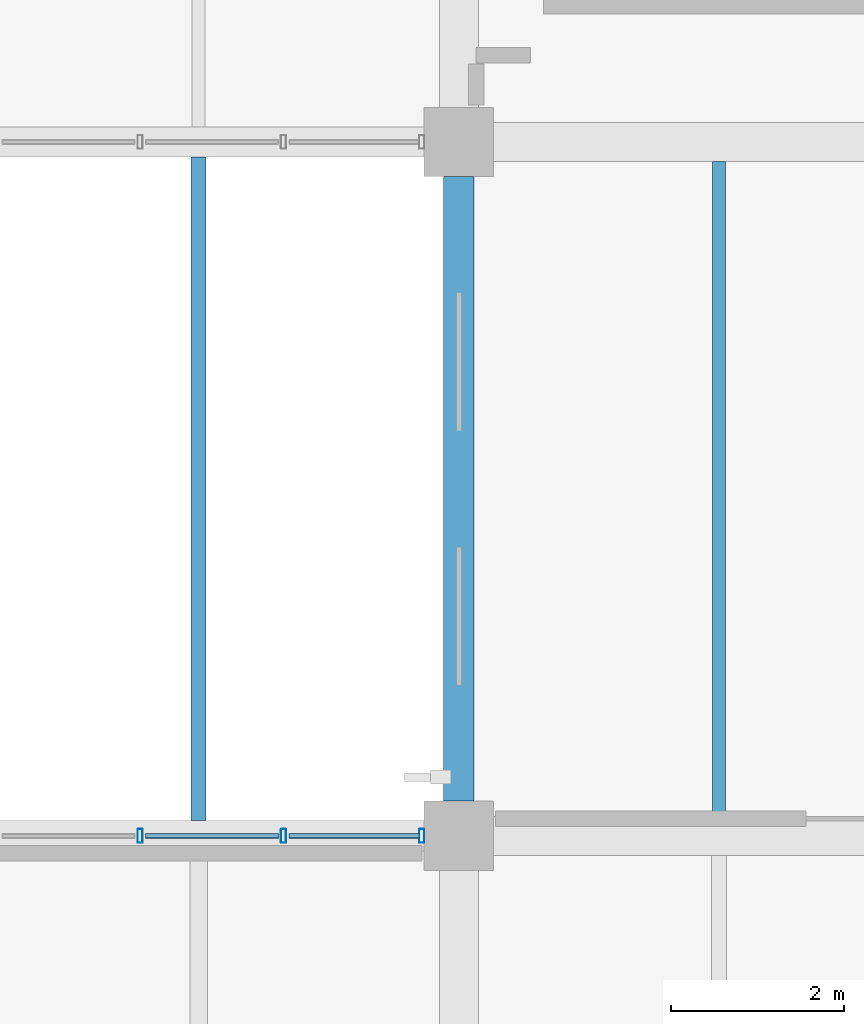
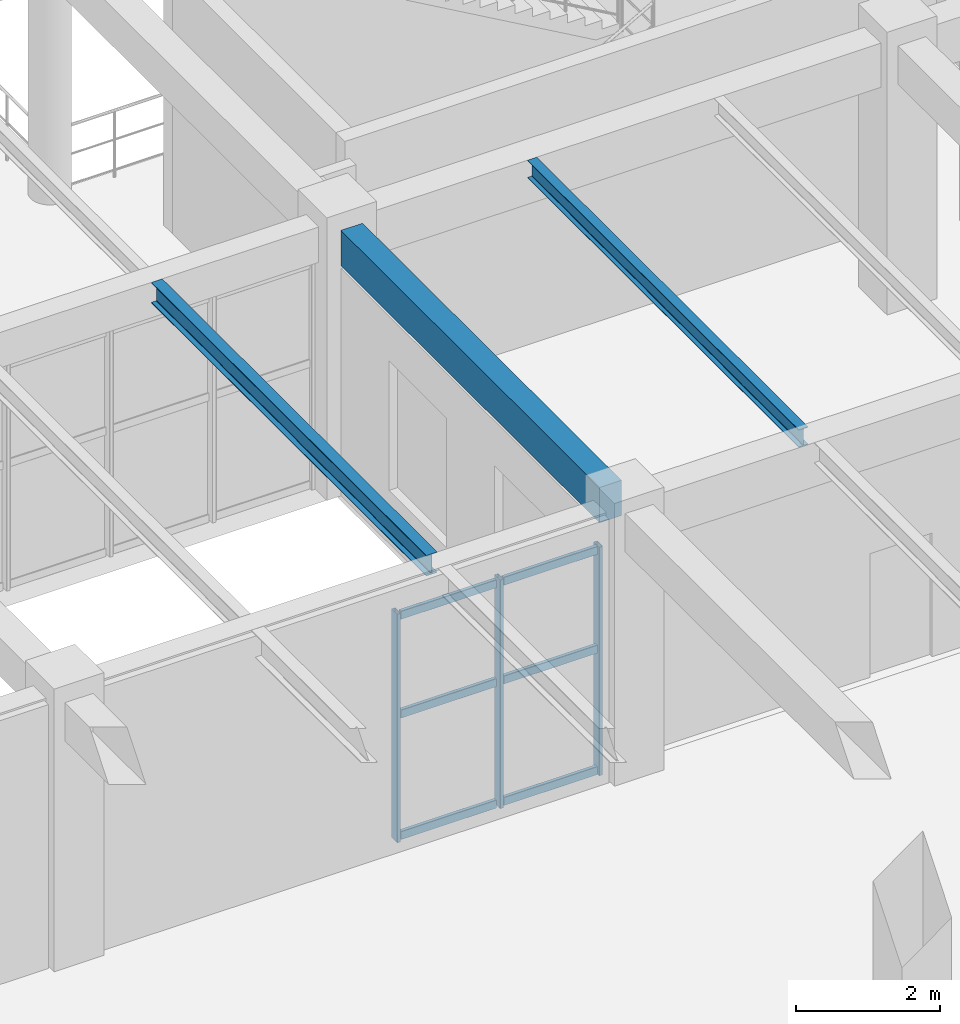
# One storey, part 29 of 178: 9 members, 3 beams, 1 element without a shape of its own.
"""IFC4 building model written with IfcOpenShell, lengths in metres."""

from ifc_helpers import new_model, si_unit, derived_unit, direction, frame, origin, origin_2d, place, context, subcontext, project, spatial, rectangle, hollow_rectangle, i_section, extrude, material, material_profile, profile_set, type_object, element, aggregate, save


model = new_model("IFC4")

# Units and contexts
model_context = context("Model", 3, precision=1e-05, world=origin(), true_north=direction((0.0, 1.0)))
body_context = subcontext(model_context, "Body", "Model", "MODEL_VIEW")
ifc_project = project(units=[si_unit("LENGTHUNIT", "METRE"), si_unit("AREAUNIT", "SQUARE_METRE"), si_unit("VOLUMEUNIT", "CUBIC_METRE"), si_unit("PLANEANGLEUNIT", "RADIAN"), si_unit("MASSUNIT", "GRAM", prefix="KILO"), derived_unit("THERMALTRANSMITTANCEUNIT", [(si_unit("MASSUNIT", "GRAM", prefix="KILO"), 1), (si_unit("TIMEUNIT", "SECOND"), -3), (si_unit("THERMODYNAMICTEMPERATUREUNIT", "KELVIN"), -1)])], contexts=[model_context])

# Site, building, storey
site_placement = place(None, origin())
site = spatial("IfcSite", under=ifc_project, at=site_placement, CompositionType="ELEMENT")
building_placement = place(site_placement, origin())
building = spatial("IfcBuilding", under=site, at=building_placement, Name="Zhenchuan Archway Interchange", CompositionType="ELEMENT")
storey_placement = place(building_placement, frame((0.0, 0.0, 5.39990234375)))
storey = spatial("IfcBuildingStorey", under=building, at=storey_placement, Name="L01", CompositionType="ELEMENT", Elevation=5.39990234375)

# Curtain wall, members
ifc_material_1 = material(Name="Anodised Aluminium", Category="aluminium")
curtain_wall_type = type_object("IfcCurtainWallType", Name="CW_UNIT_1", PredefinedType="NOTDEFINED", material=ifc_material_1)
curtain_wall_placement = place(storey_placement, origin())
curtain_wall = element("IfcCurtainWall", 1, at=curtain_wall_placement, inside=storey, type_object=curtain_wall_type, Name="Unitised curtain wall CW:L01:092", PredefinedType="NOTDEFINED")
ifc_material_profile_1 = material_profile(ifc_material_1, hollow_rectangle(XDim=0.06005859375, YDim=0.159912109375, WallThickness=0.00390625, InnerFilletRadius=0.00390625, OuterFilletRadius=0.008056640625, at=origin_2d()), Name="ALU 160x60x4")
ifc_profile_set_1 = profile_set([ifc_material_profile_1], Name="Anodised Aluminium")
member_type_1 = type_object("IfcMemberType", Name="CW_MUL_150", PredefinedType="MULLION", material=ifc_profile_set_1)
member_1_placement = place(storey_placement, frame((32.326416015625, 16.0, 0.0), z_axis=(0.0, 0.0, 1.0), x_axis=(1.0, 0.0, 0.0)))
member_1 = element("IfcMember", 2, at=member_1_placement, type_object=member_type_1, Name="CW:L01:092 mullion 3", PredefinedType="MULLION", context=body_context, shape_type="SweptSolid", body=[
    extrude(hollow_rectangle(XDim=0.06005859375, YDim=0.159912109375, WallThickness=0.00390625, InnerFilletRadius=0.00390625, OuterFilletRadius=0.008056640625, at=origin_2d()), origin(), (0.0, 0.0, 1.0), 3.880126953125),
])
member_2_placement = place(storey_placement, frame((33.979248046875, 16.0, 0.0), z_axis=(0.0, 0.0, 1.0), x_axis=(1.0, 0.0, 0.0)))
member_2 = element("IfcMember", 3, at=member_2_placement, type_object=member_type_1, Name="CW:L01:092 mullion 4", PredefinedType="MULLION", context=body_context, shape_type="SweptSolid", body=[
    extrude(hollow_rectangle(XDim=0.06005859375, YDim=0.159912109375, WallThickness=0.00390625, InnerFilletRadius=0.00390625, OuterFilletRadius=0.008056640625, at=origin_2d()), origin(), (0.0, 0.0, 1.0), 3.880126953125),
])
member_3_placement = place(storey_placement, frame((35.572021484375, 16.0, 0.0), z_axis=(0.0, 0.0, 1.0), x_axis=(1.0, 0.0, 0.0)))
member_3 = element("IfcMember", 4, at=member_3_placement, type_object=member_type_1, Name="CW:L01:092 mullion 5", PredefinedType="MULLION", context=body_context, shape_type="SweptSolid", body=[
    extrude(hollow_rectangle(XDim=0.06005859375, YDim=0.159912109375, WallThickness=0.00390625, InnerFilletRadius=0.00390625, OuterFilletRadius=0.008056640625, at=origin_2d()), origin(), (0.0, 0.0, 1.0), 3.880126953125),
])
ifc_material_profile_2 = material_profile(ifc_material_1, hollow_rectangle(XDim=0.06005859375, YDim=0.139892578125, WallThickness=0.00341796875, InnerFilletRadius=0.00341796875, OuterFilletRadius=0.007080078125, at=origin_2d()), Name="ALU 140x60x3.5")
ifc_profile_set_2 = profile_set([ifc_material_profile_2], Name="Anodised Aluminium")
member_type_2 = type_object("IfcMemberType", Name="CW_TRN_140", PredefinedType="USERDEFINED", material=ifc_profile_set_2)
member_4_placement = place(storey_placement, frame((32.386474609375, 16.0, 0.06005859375), z_axis=(1.0, 0.0, 0.0), x_axis=(0.0, 1.0, 0.0)))
member_4 = element("IfcMember", 5, at=member_4_placement, type_object=member_type_2, Name="CW:L01:092 transom 3-1", ObjectType="TRANSOM", PredefinedType="USERDEFINED", context=body_context, shape_type="SweptSolid", body=[
    extrude(hollow_rectangle(XDim=0.06005859375, YDim=0.139892578125, WallThickness=0.00341796875, InnerFilletRadius=0.00341796875, OuterFilletRadius=0.007080078125, at=origin_2d()), origin(), (0.0, 0.0, 1.0), 1.53271484375),
])
member_5_placement = place(storey_placement, frame((32.386474609375, 16.0, 2.123046875), z_axis=(1.0, 0.0, 0.0), x_axis=(0.0, 1.0, 0.0)))
member_5 = element("IfcMember", 6, at=member_5_placement, type_object=member_type_2, Name="CW:L01:092 transom 3-2", ObjectType="TRANSOM", PredefinedType="USERDEFINED", context=body_context, shape_type="SweptSolid", body=[
    extrude(hollow_rectangle(XDim=0.06005859375, YDim=0.139892578125, WallThickness=0.00341796875, InnerFilletRadius=0.00341796875, OuterFilletRadius=0.007080078125, at=origin_2d()), origin(), (0.0, 0.0, 1.0), 1.53271484375),
])
member_6_placement = place(storey_placement, frame((32.386474609375, 16.0, 3.800048828125), z_axis=(1.0, 0.0, 0.0), x_axis=(0.0, 1.0, 0.0)))
member_6 = element("IfcMember", 7, at=member_6_placement, type_object=member_type_2, Name="CW:L01:092 transom 3-3", ObjectType="TRANSOM", PredefinedType="USERDEFINED", context=body_context, shape_type="SweptSolid", body=[
    extrude(hollow_rectangle(XDim=0.06005859375, YDim=0.139892578125, WallThickness=0.00341796875, InnerFilletRadius=0.00341796875, OuterFilletRadius=0.007080078125, at=origin_2d()), origin(), (0.0, 0.0, 1.0), 1.53271484375),
])
member_7_placement = place(storey_placement, frame((34.039306640625, 16.0, 0.06005859375), z_axis=(1.0, 0.0, 0.0), x_axis=(0.0, 1.0, 0.0)))
member_7 = element("IfcMember", 8, at=member_7_placement, type_object=member_type_2, Name="CW:L01:092 transom 4-1", ObjectType="TRANSOM", PredefinedType="USERDEFINED", context=body_context, shape_type="SweptSolid", body=[
    extrude(hollow_rectangle(XDim=0.06005859375, YDim=0.139892578125, WallThickness=0.00341796875, InnerFilletRadius=0.00341796875, OuterFilletRadius=0.007080078125, at=origin_2d()), origin(), (0.0, 0.0, 1.0), 1.5126953125),
])
member_8_placement = place(storey_placement, frame((34.039306640625, 16.0, 2.123046875), z_axis=(1.0, 0.0, 0.0), x_axis=(0.0, 1.0, 0.0)))
member_8 = element("IfcMember", 9, at=member_8_placement, type_object=member_type_2, Name="CW:L01:092 transom 4-2", ObjectType="TRANSOM", PredefinedType="USERDEFINED", context=body_context, shape_type="SweptSolid", body=[
    extrude(hollow_rectangle(XDim=0.06005859375, YDim=0.139892578125, WallThickness=0.00341796875, InnerFilletRadius=0.00341796875, OuterFilletRadius=0.007080078125, at=origin_2d()), origin(), (0.0, 0.0, 1.0), 1.5126953125),
])
member_9_placement = place(storey_placement, frame((34.039306640625, 16.0, 3.800048828125), z_axis=(1.0, 0.0, 0.0), x_axis=(0.0, 1.0, 0.0)))
member_9 = element("IfcMember", 10, at=member_9_placement, type_object=member_type_2, Name="CW:L01:092 transom 4-3", ObjectType="TRANSOM", PredefinedType="USERDEFINED", context=body_context, shape_type="SweptSolid", body=[
    extrude(hollow_rectangle(XDim=0.06005859375, YDim=0.139892578125, WallThickness=0.00341796875, InnerFilletRadius=0.00341796875, OuterFilletRadius=0.007080078125, at=origin_2d()), origin(), (0.0, 0.0, 1.0), 1.5126953125),
])
aggregate(curtain_wall, [member_1, member_2, member_3, member_4, member_5, member_6, member_7, member_8, member_9])

# Beams
ifc_material_2 = material(Name="Steel Q355", Category="steel")
ifc_material_profile_3 = material_profile(ifc_material_2, i_section(OverallWidth=0.14990234375, OverallDepth=0.300048828125, WebThickness=0.006591796875, FlangeThickness=0.009033203125, FilletRadius=0.012939453125, at=origin_2d()), Name="HN 300x150")
ifc_profile_set_3 = profile_set([ifc_material_profile_3], Name="Steel Q355")
beam_type_1 = type_object("IfcBeamType", Name="JST_STL_HN300", PredefinedType="JOIST", material=ifc_profile_set_3)
beam_1_placement = place(storey_placement, frame((39.0, 16.22509765625, 4.360107421875), z_axis=(0.0, 1.0, 0.0), x_axis=(-1.0, 0.0, 0.0)))
element("IfcBeam", 11, at=beam_1_placement, inside=storey, type_object=beam_type_1, Name="Secondary joist 5-6/C-D #1 (L01)", PredefinedType="JOIST", context=body_context, shape_type="SweptSolid", body=[
    extrude(i_section(OverallWidth=0.14990234375, OverallDepth=0.300048828125, WebThickness=0.006591796875, FlangeThickness=0.009033203125, FilletRadius=0.012939453125, at=origin_2d()), origin(), (0.0, 0.0, 1.0), 7.5498046875),
])
ifc_material_profile_4 = material_profile(ifc_material_2, i_section(OverallWidth=0.175048828125, OverallDepth=0.35009765625, WebThickness=0.007080078125, FlangeThickness=0.010986328125, FilletRadius=0.013916015625, at=origin_2d()), Name="HN 350x175")
ifc_profile_set_4 = profile_set([ifc_material_profile_4], Name="Steel Q355")
beam_type_2 = type_object("IfcBeamType", Name="JST_STL_HN350", PredefinedType="JOIST", material=ifc_profile_set_4)
beam_2_placement = place(storey_placement, frame((33.0, 16.175048828125, 4.335205078125), z_axis=(0.0, 1.0, 0.0), x_axis=(-1.0, 0.0, 0.0)))
element("IfcBeam", 12, at=beam_2_placement, inside=storey, type_object=beam_type_2, Name="Secondary joist 4-5/C-D #2 (L01)", PredefinedType="JOIST", context=body_context, shape_type="SweptSolid", body=[
    extrude(i_section(OverallWidth=0.175048828125, OverallDepth=0.35009765625, WebThickness=0.007080078125, FlangeThickness=0.010986328125, FilletRadius=0.013916015625, at=origin_2d()), origin(), (0.0, 0.0, 1.0), 7.64990234375),
])
ifc_material_3 = material(Name="Concrete C40", Category="concrete")
ifc_material_profile_5 = material_profile(ifc_material_3, rectangle(XDim=0.35009765625, YDim=0.60009765625, at=origin_2d()), Name="RC 350x600")
ifc_profile_set_5 = profile_set([ifc_material_profile_5], Name="Concrete C40")
beam_type_3 = type_object("IfcBeamType", Name="SP_RC_350x600", PredefinedType="SPANDREL", material=ifc_profile_set_5)
beam_3_placement = place(storey_placement, frame((36.0, 16.39990234375, 4.210205078125), z_axis=(0.0, 1.0, 0.0), x_axis=(-1.0, 0.0, 0.0)))
element("IfcBeam", 13, at=beam_3_placement, inside=storey, type_object=beam_type_3, Name="Beam 5:C-D (L01)", PredefinedType="SPANDREL", context=body_context, shape_type="SweptSolid", body=[
    extrude(rectangle(XDim=0.35009765625, YDim=0.60009765625, at=origin_2d()), origin(), (0.0, 0.0, 1.0), 7.2001953125),
])

save(model, "model.ifc")
